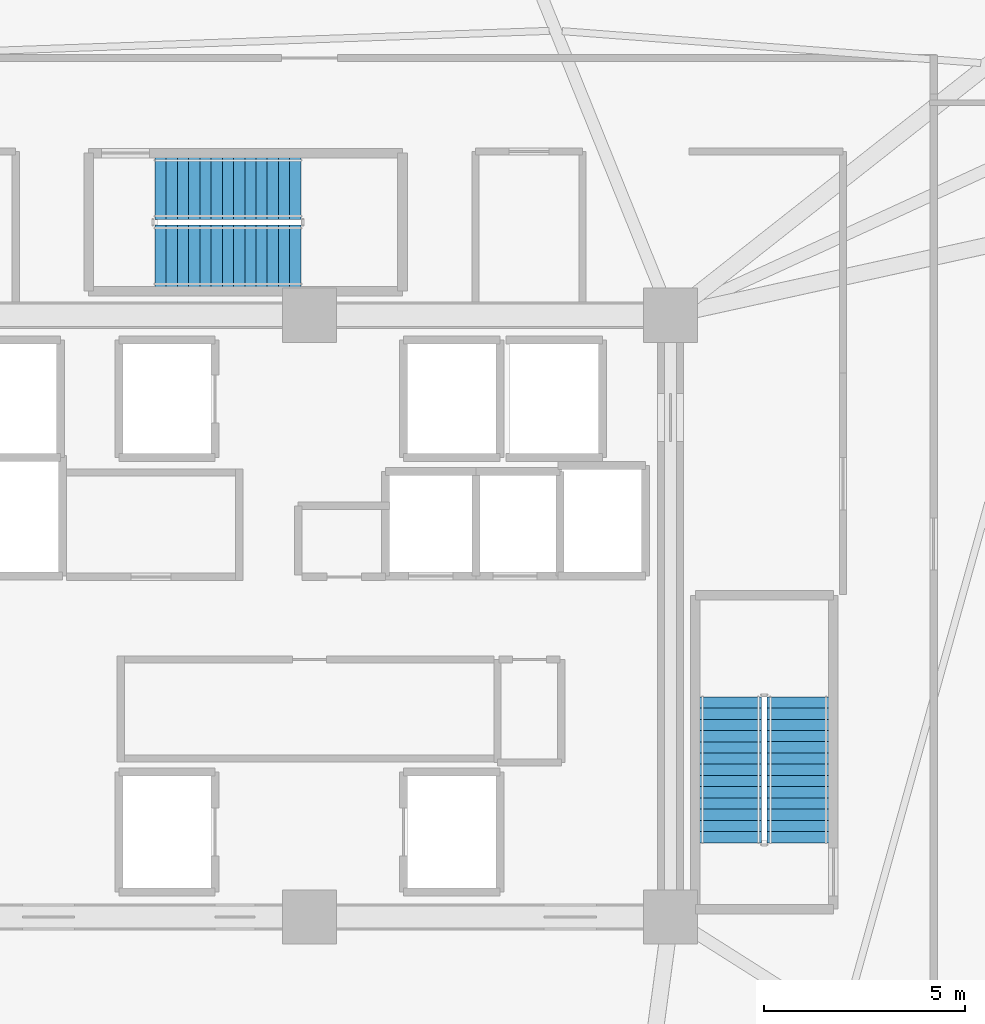
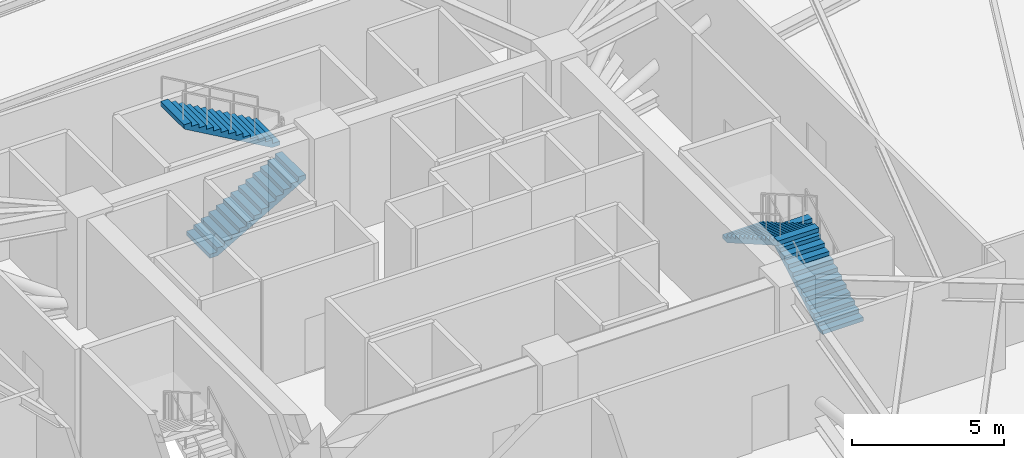
# One storey, part 17 of 25: 4 stair flights, 2 elements without a shape of their own.
"""IFC4 building model written with IfcOpenShell, lengths in metres."""

from ifc_helpers import new_model, si_unit, direction, frame, origin, place, context, subcontext, project, spatial, polyline, outline, extrude, material, type_object, element, aggregate, save


model = new_model("IFC4")

# Units and contexts
model_context = context("Model", 3, precision=1e-05, world=origin(), true_north=direction((0.0, 1.0)))
body_context = subcontext(model_context, "Body", "Model", "MODEL_VIEW")
ifc_project = project(units=[si_unit("LENGTHUNIT", "METRE"), si_unit("AREAUNIT", "SQUARE_METRE"), si_unit("VOLUMEUNIT", "CUBIC_METRE"), si_unit("PLANEANGLEUNIT", "RADIAN"), si_unit("MASSUNIT", "GRAM", prefix="KILO")], contexts=[model_context])

# Site, building, storey
site_placement = place(None, origin())
site = spatial("IfcSite", under=ifc_project, at=site_placement, CompositionType="ELEMENT")
building_placement = place(site_placement, origin())
building = spatial("IfcBuilding", under=site, at=building_placement, Name="Liaohun Quay Tower", CompositionType="ELEMENT")
storey_placement = place(building_placement, frame((0.0, 0.0, 231.75)))
storey = spatial("IfcBuildingStorey", under=building, at=storey_placement, Name="L60", CompositionType="ELEMENT", Elevation=231.75)

# Stair, stair flights
ifc_material = material(Name="Concrete C45", Category="concrete")
stair_type = type_object("IfcStairType", Name="STR-CORE-TALL", PredefinedType="HALF_TURN_STAIR", material=ifc_material)
stair_1_placement = place(storey_placement, origin())
stair_1 = element("IfcStair", 1, at=stair_1_placement, inside=storey, type_object=stair_type, Name="L60 Smokeproof Core Exit Stair ST-2", PredefinedType="HALF_TURN_STAIR")
stair_flight_type = type_object("IfcStairFlightType", Name="FLT-CORE-155", PredefinedType="STRAIGHT", material=ifc_material)
stair_flight_1_placement = place(storey_placement, frame((72.18505859375, 48.35009765625, 0.0), z_axis=(0.0, 0.0, 1.0), x_axis=(0.0, 1.0, 0.0)))
stair_flight_1 = element("IfcStairFlight", 2, at=stair_flight_1_placement, type_object=stair_flight_type, Name="ST-2 flight 1", NumberOfRisers=14, NumberOfTreads=13, PredefinedType="STRAIGHT", RiserHeight=0.160714286, TreadLength=0.28, context=body_context, shape_type="SweptSolid", body=[
    extrude(outline(polyline([(0.0, 0.0), (0.0, 0.16064453125), (0.280029296875, 0.16064453125), (0.280029296875, 0.321533203125), (0.56005859375, 0.321533203125), (0.56005859375, 0.482177734375), (0.840087890625, 0.482177734375), (0.840087890625, 0.642822265625), (1.1201171875, 0.642822265625), (1.1201171875, 0.803466796875), (1.39990234375, 0.803466796875), (1.39990234375, 0.96435546875), (1.679931640625, 0.96435546875), (1.679931640625, 1.125), (1.9599609375, 1.125), (1.9599609375, 1.28564453125), (2.239990234375, 1.28564453125), (2.239990234375, 1.446533203125), (2.52001953125, 1.446533203125), (2.52001953125, 1.607177734375), (2.800048828125, 1.607177734375), (2.800048828125, 1.767822265625), (3.080078125, 1.767822265625), (3.080078125, 1.928466796875), (3.360107421875, 1.928466796875), (3.360107421875, 2.08935546875), (3.639892578125, 2.08935546875), (3.639892578125, 2.25), (3.639892578125, 1.91650390625), (0.301025390625, 0.0), (0.0, 0.0)])), frame((0.0, 0.77490234375, 0.0), z_axis=(0.0, -1.0, 0.0), x_axis=(1.0, 0.0, 0.0)), (0.0, 0.0, 1.0), 1.550048828125),
])
stair_flight_2_placement = place(storey_placement, frame((70.4951171875, 51.989990234375, 2.25), z_axis=(0.0, 0.0, 1.0), x_axis=(0.0, -1.0, 0.0)))
stair_flight_2 = element("IfcStairFlight", 3, at=stair_flight_2_placement, type_object=stair_flight_type, Name="ST-2 flight 2", NumberOfRisers=14, NumberOfTreads=13, PredefinedType="STRAIGHT", RiserHeight=0.160714286, TreadLength=0.28, context=body_context, shape_type="SweptSolid", body=[
    extrude(outline(polyline([(0.0, 0.0), (0.0, 0.16064453125), (0.280029296875, 0.16064453125), (0.280029296875, 0.321533203125), (0.56005859375, 0.321533203125), (0.56005859375, 0.482177734375), (0.840087890625, 0.482177734375), (0.840087890625, 0.642822265625), (1.1201171875, 0.642822265625), (1.1201171875, 0.803466796875), (1.39990234375, 0.803466796875), (1.39990234375, 0.96435546875), (1.679931640625, 0.96435546875), (1.679931640625, 1.125), (1.9599609375, 1.125), (1.9599609375, 1.28564453125), (2.239990234375, 1.28564453125), (2.239990234375, 1.446533203125), (2.52001953125, 1.446533203125), (2.52001953125, 1.607177734375), (2.800048828125, 1.607177734375), (2.800048828125, 1.767822265625), (3.080078125, 1.767822265625), (3.080078125, 1.928466796875), (3.360107421875, 1.928466796875), (3.360107421875, 2.08935546875), (3.639892578125, 2.08935546875), (3.639892578125, 2.25), (3.639892578125, 1.91650390625), (0.301025390625, 0.0), (0.0, 0.0)])), frame((0.0, 0.77490234375, 0.0), z_axis=(0.0, -1.0, 0.0), x_axis=(1.0, 0.0, 0.0)), (0.0, 0.0, 1.0), 1.550048828125),
])
aggregate(stair_1, [stair_flight_1, stair_flight_2])

stair_2_placement = place(storey_placement, origin())
stair_2 = element("IfcStair", 4, at=stair_2_placement, inside=storey, type_object=stair_type, Name="L60 Smokeproof Core Exit Stair ST-3", PredefinedType="HALF_TURN_STAIR")
stair_flight_3_placement = place(storey_placement, frame((56.14990234375, 62.97509765625, 0.0), z_axis=(0.0, 0.0, 1.0), x_axis=(1.0, 0.0, 0.0)))
stair_flight_3 = element("IfcStairFlight", 5, at=stair_flight_3_placement, type_object=stair_flight_type, Name="ST-3 flight 1", NumberOfRisers=14, NumberOfTreads=13, PredefinedType="STRAIGHT", RiserHeight=0.160714286, TreadLength=0.28, context=body_context, shape_type="SweptSolid", body=[
    extrude(outline(polyline([(0.0, 0.0), (0.0, 0.16064453125), (0.280029296875, 0.16064453125), (0.280029296875, 0.321533203125), (0.56005859375, 0.321533203125), (0.56005859375, 0.482177734375), (0.840087890625, 0.482177734375), (0.840087890625, 0.642822265625), (1.1201171875, 0.642822265625), (1.1201171875, 0.803466796875), (1.39990234375, 0.803466796875), (1.39990234375, 0.96435546875), (1.679931640625, 0.96435546875), (1.679931640625, 1.125), (1.9599609375, 1.125), (1.9599609375, 1.28564453125), (2.239990234375, 1.28564453125), (2.239990234375, 1.446533203125), (2.52001953125, 1.446533203125), (2.52001953125, 1.607177734375), (2.800048828125, 1.607177734375), (2.800048828125, 1.767822265625), (3.080078125, 1.767822265625), (3.080078125, 1.928466796875), (3.360107421875, 1.928466796875), (3.360107421875, 2.08935546875), (3.639892578125, 2.08935546875), (3.639892578125, 2.25), (3.639892578125, 1.91650390625), (0.301025390625, 0.0), (0.0, 0.0)])), frame((0.0, 0.77490234375, 0.0), z_axis=(0.0, -1.0, 0.0), x_axis=(1.0, 0.0, 0.0)), (0.0, 0.0, 1.0), 1.550048828125),
])
stair_flight_4_placement = place(storey_placement, frame((59.7900390625, 64.6650390625, 2.25), z_axis=(0.0, 0.0, 1.0), x_axis=(-1.0, 0.0, 0.0)))
stair_flight_4 = element("IfcStairFlight", 6, at=stair_flight_4_placement, type_object=stair_flight_type, Name="ST-3 flight 2", NumberOfRisers=14, NumberOfTreads=13, PredefinedType="STRAIGHT", RiserHeight=0.160714286, TreadLength=0.28, context=body_context, shape_type="SweptSolid", body=[
    extrude(outline(polyline([(0.0, 0.0), (0.0, 0.16064453125), (0.280029296875, 0.16064453125), (0.280029296875, 0.321533203125), (0.56005859375, 0.321533203125), (0.56005859375, 0.482177734375), (0.840087890625, 0.482177734375), (0.840087890625, 0.642822265625), (1.1201171875, 0.642822265625), (1.1201171875, 0.803466796875), (1.39990234375, 0.803466796875), (1.39990234375, 0.96435546875), (1.679931640625, 0.96435546875), (1.679931640625, 1.125), (1.9599609375, 1.125), (1.9599609375, 1.28564453125), (2.239990234375, 1.28564453125), (2.239990234375, 1.446533203125), (2.52001953125, 1.446533203125), (2.52001953125, 1.607177734375), (2.800048828125, 1.607177734375), (2.800048828125, 1.767822265625), (3.080078125, 1.767822265625), (3.080078125, 1.928466796875), (3.360107421875, 1.928466796875), (3.360107421875, 2.08935546875), (3.639892578125, 2.08935546875), (3.639892578125, 2.25), (3.639892578125, 1.91650390625), (0.301025390625, 0.0), (0.0, 0.0)])), frame((0.0, 0.77490234375, 0.0), z_axis=(0.0, -1.0, 0.0), x_axis=(1.0, 0.0, 0.0)), (0.0, 0.0, 1.0), 1.550048828125),
])
aggregate(stair_2, [stair_flight_3, stair_flight_4])

save(model, "model.ifc")
